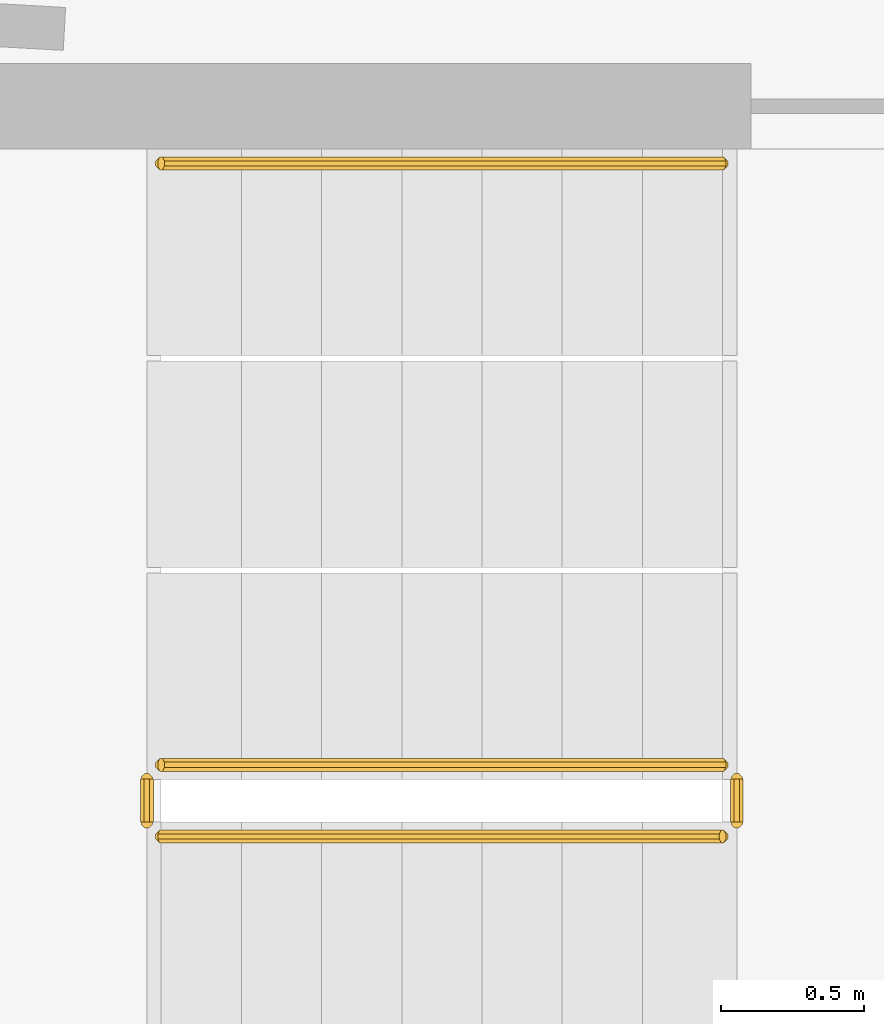
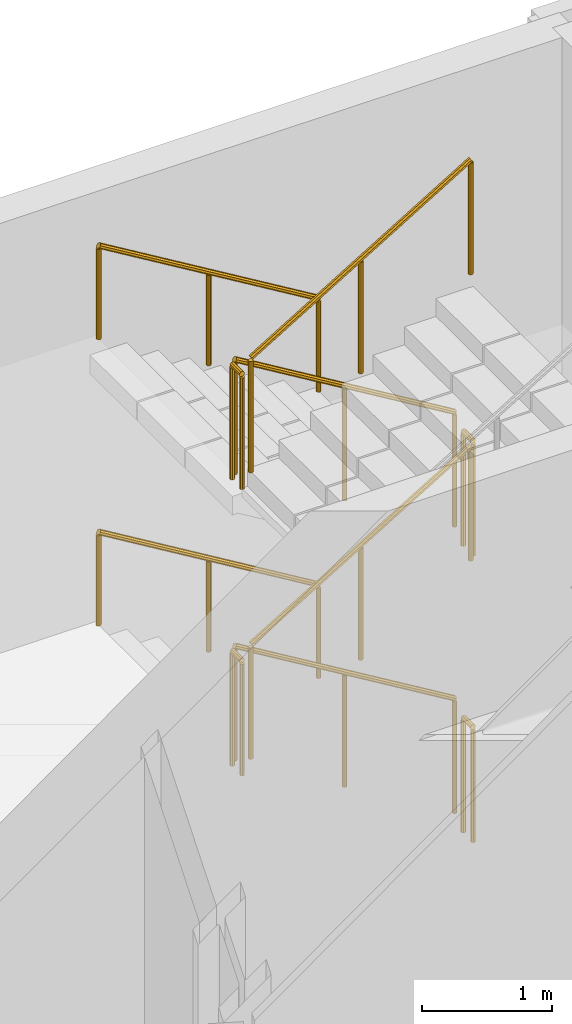
# One storey, part 21 of 31: 10 railings.
"""IFC4 building model written with IfcOpenShell, lengths in metres."""

from ifc_helpers import new_model, si_unit, direction, frame, origin, place, context, subcontext, project, spatial, polyline, outline, extrude, material, type_object, element, save


model = new_model("IFC4")

# Units and contexts
model_context = context("Model", 3, precision=1e-05, world=origin(), true_north=direction((0.0, 1.0)))
body_context = subcontext(model_context, "Body", "Model", "MODEL_VIEW")
ifc_project = project(units=[si_unit("LENGTHUNIT", "METRE"), si_unit("AREAUNIT", "SQUARE_METRE"), si_unit("VOLUMEUNIT", "CUBIC_METRE"), si_unit("PLANEANGLEUNIT", "RADIAN"), si_unit("MASSUNIT", "GRAM", prefix="KILO")], contexts=[model_context])

# Site, building, storey
site_placement = place(None, origin())
site = spatial("IfcSite", under=ifc_project, at=site_placement, CompositionType="ELEMENT")
building_placement = place(site_placement, origin())
building = spatial("IfcBuilding", under=site, at=building_placement, Name="Cormorant Relay Tower", CompositionType="ELEMENT")
storey_placement = place(building_placement, frame((0.0, 0.0, 178.199951171875)))
storey = spatial("IfcBuildingStorey", under=building, at=storey_placement, Name="L38", CompositionType="ELEMENT", Elevation=178.199951171875)

# Railings
ifc_material_1 = material(Name="Steel ASTM A572 Grade 50 (Fy 345 MPa)", Category="steel")
railing_type_1 = type_object("IfcRailingType", Name="Stair guard 1100", PredefinedType="GUARDRAIL", material=ifc_material_1)
railing_1_placement = place(storey_placement, frame((1.60009765625, -18.27490234375, 0.168701171875)))
element("IfcRailing", 1, at=railing_1_placement, inside=storey, type_object=railing_type_1, Name="L38 RK1 stair guard 1", PredefinedType="GUARDRAIL", context=body_context, shape_type="SweptSolid", body=[
    extrude(outline(polyline([(0.022216796875, 0.00927734375), (0.00927734375, 0.022216796875), (-0.00927734375, 0.022216796875), (-0.022216796875, 0.00927734375), (-0.022216796875, -0.00927734375), (-0.00927734375, -0.022216796875), (0.00927734375, -0.022216796875), (0.022216796875, -0.00927734375), (0.022216796875, 0.00927734375)])), frame((0.0, 0.0, 1.076171875), z_axis=(-0.856474724393, 0.0, 0.516188963923), x_axis=(0.0, -1.0, 0.0)), (0.0, 0.0, 1.0), 2.28857421875),
    extrude(outline(polyline([(0.019287109375, 0.008056640625), (0.008056640625, 0.019287109375), (-0.008056640625, 0.019287109375), (-0.019287109375, 0.008056640625), (-0.019287109375, -0.008056640625), (-0.008056640625, -0.019287109375), (0.008056640625, -0.019287109375), (0.019287109375, -0.008056640625), (0.019287109375, 0.008056640625)])), origin(), (0.0, 0.0, 1.0), 1.052001953125),
    extrude(outline(polyline([(0.019287109375, 0.008056640625), (0.008056640625, 0.019287109375), (-0.008056640625, 0.019287109375), (-0.019287109375, 0.008056640625), (-0.019287109375, -0.008056640625), (-0.008056640625, -0.019287109375), (0.008056640625, -0.019287109375), (0.019287109375, -0.008056640625), (0.019287109375, 0.008056640625)])), frame((-0.97998046875, 0.0, 0.5908203125)), (0.0, 0.0, 1.0), 1.052001953125),
    extrude(outline(polyline([(0.019287109375, 0.008056640625), (0.008056640625, 0.019287109375), (-0.008056640625, 0.019287109375), (-0.019287109375, 0.008056640625), (-0.019287109375, -0.008056640625), (-0.008056640625, -0.019287109375), (0.008056640625, -0.019287109375), (0.019287109375, -0.008056640625), (0.019287109375, 0.008056640625)])), frame((-1.960205078125, 0.0, 1.181396484375)), (0.0, 0.0, 1.0), 1.052001953125),
])
railing_2_placement = place(storey_placement, frame((-0.409912109375, -18.324951171875, 1.35009765625)))
element("IfcRailing", 2, at=railing_2_placement, inside=storey, type_object=railing_type_1, Name="L38 RK1 stair guard 2", PredefinedType="GUARDRAIL", context=body_context, shape_type="SweptSolid", body=[
    extrude(outline(polyline([(0.022216796875, 0.00927734375), (0.00927734375, 0.022216796875), (-0.00927734375, 0.022216796875), (-0.022216796875, 0.00927734375), (-0.022216796875, -0.00927734375), (-0.00927734375, -0.022216796875), (0.00927734375, -0.022216796875), (0.022216796875, -0.00927734375), (0.022216796875, 0.00927734375)])), frame((0.0, 0.0, 1.076171875), z_axis=(0.0, -1.0, 0.0), x_axis=(1.0, 0.0, 0.0)), (0.0, 0.0, 1.0), 0.150146484375),
    extrude(outline(polyline([(0.019287109375, 0.008056640625), (0.008056640625, 0.019287109375), (-0.008056640625, 0.019287109375), (-0.019287109375, 0.008056640625), (-0.019287109375, -0.008056640625), (-0.008056640625, -0.019287109375), (0.008056640625, -0.019287109375), (0.019287109375, -0.008056640625), (0.019287109375, 0.008056640625)])), origin(), (0.0, 0.0, 1.0), 1.052001953125),
    extrude(outline(polyline([(0.019287109375, 0.008056640625), (0.008056640625, 0.019287109375), (-0.008056640625, 0.019287109375), (-0.019287109375, 0.008056640625), (-0.019287109375, -0.008056640625), (-0.008056640625, -0.019287109375), (0.008056640625, -0.019287109375), (0.019287109375, -0.008056640625), (0.019287109375, 0.008056640625)])), frame((0.0, -0.150146484375, 0.0)), (0.0, 0.0, 1.0), 1.052001953125),
])
railing_3_placement = place(storey_placement, frame((-0.360107421875, -18.52490234375, 1.518798828125)))
element("IfcRailing", 3, at=railing_3_placement, inside=storey, type_object=railing_type_1, Name="L38 RK1 stair guard 3", PredefinedType="GUARDRAIL", context=body_context, shape_type="SweptSolid", body=[
    extrude(outline(polyline([(0.022216796875, 0.00927734375), (0.00927734375, 0.022216796875), (-0.00927734375, 0.022216796875), (-0.022216796875, 0.00927734375), (-0.022216796875, -0.00927734375), (-0.00927734375, -0.022216796875), (0.00927734375, -0.022216796875), (0.022216796875, -0.00927734375), (0.022216796875, 0.00927734375)])), frame((0.0, 0.0, 1.076171875), z_axis=(0.856521883693, 0.0, 0.516110707847), x_axis=(0.0, 1.0, 0.0)), (0.0, 0.0, 1.0), 2.28857421875),
    extrude(outline(polyline([(0.019287109375, 0.008056640625), (0.008056640625, 0.019287109375), (-0.008056640625, 0.019287109375), (-0.019287109375, 0.008056640625), (-0.019287109375, -0.008056640625), (-0.008056640625, -0.019287109375), (0.008056640625, -0.019287109375), (0.019287109375, -0.008056640625), (0.019287109375, 0.008056640625)])), origin(), (0.0, 0.0, 1.0), 1.052001953125),
    extrude(outline(polyline([(0.019287109375, 0.008056640625), (0.008056640625, 0.019287109375), (-0.008056640625, 0.019287109375), (-0.019287109375, 0.008056640625), (-0.019287109375, -0.008056640625), (-0.008056640625, -0.019287109375), (0.008056640625, -0.019287109375), (0.019287109375, -0.008056640625), (0.019287109375, 0.008056640625)])), frame((0.97998046875, 0.0, 0.590576171875)), (0.0, 0.0, 1.0), 1.052001953125),
    extrude(outline(polyline([(0.019287109375, 0.008056640625), (0.008056640625, 0.019287109375), (-0.008056640625, 0.019287109375), (-0.019287109375, 0.008056640625), (-0.019287109375, -0.008056640625), (-0.008056640625, -0.019287109375), (0.008056640625, -0.019287109375), (0.019287109375, -0.008056640625), (0.019287109375, 0.008056640625)])), frame((1.960205078125, 0.0, 1.18115234375)), (0.0, 0.0, 1.0), 1.052001953125),
])
railing_4_placement = place(storey_placement, frame((1.64990234375, -18.324951171875, 2.699951171875)))
element("IfcRailing", 4, at=railing_4_placement, inside=storey, type_object=railing_type_1, Name="L38 RK1 stair guard 4", PredefinedType="GUARDRAIL", context=body_context, shape_type="SweptSolid", body=[
    extrude(outline(polyline([(0.022216796875, 0.00927734375), (0.00927734375, 0.022216796875), (-0.00927734375, 0.022216796875), (-0.022216796875, 0.00927734375), (-0.022216796875, -0.00927734375), (-0.00927734375, -0.022216796875), (0.00927734375, -0.022216796875), (0.022216796875, -0.00927734375), (0.022216796875, 0.00927734375)])), frame((0.0, 0.0, 1.076171875), z_axis=(0.0, -1.0, 0.0), x_axis=(1.0, 0.0, 0.0)), (0.0, 0.0, 1.0), 0.150146484375),
    extrude(outline(polyline([(0.019287109375, 0.008056640625), (0.008056640625, 0.019287109375), (-0.008056640625, 0.019287109375), (-0.019287109375, 0.008056640625), (-0.019287109375, -0.008056640625), (-0.008056640625, -0.019287109375), (0.008056640625, -0.019287109375), (0.019287109375, -0.008056640625), (0.019287109375, 0.008056640625)])), origin(), (0.0, 0.0, 1.0), 1.052001953125),
    extrude(outline(polyline([(0.019287109375, 0.008056640625), (0.008056640625, 0.019287109375), (-0.008056640625, 0.019287109375), (-0.019287109375, 0.008056640625), (-0.019287109375, -0.008056640625), (-0.008056640625, -0.019287109375), (0.008056640625, -0.019287109375), (0.019287109375, -0.008056640625), (0.019287109375, 0.008056640625)])), frame((0.0, -0.150146484375, 0.0)), (0.0, 0.0, 1.0), 1.052001953125),
])
railing_5_placement = place(storey_placement, frame((1.60009765625, -18.27490234375, 2.868896484375)))
element("IfcRailing", 5, at=railing_5_placement, inside=storey, type_object=railing_type_1, Name="L38 RK1 stair guard 5", PredefinedType="GUARDRAIL", context=body_context, shape_type="SweptSolid", body=[
    extrude(outline(polyline([(0.022216796875, 0.00927734375), (0.00927734375, 0.022216796875), (-0.00927734375, 0.022216796875), (-0.022216796875, 0.00927734375), (-0.022216796875, -0.00927734375), (-0.00927734375, -0.022216796875), (0.00927734375, -0.022216796875), (0.022216796875, -0.00927734375), (0.022216796875, 0.00927734375)])), frame((0.0, 0.0, 1.076171875), z_axis=(-0.856521883693, 0.0, 0.516110707847), x_axis=(0.0, -1.0, 0.0)), (0.0, 0.0, 1.0), 2.28857421875),
    extrude(outline(polyline([(0.019287109375, 0.008056640625), (0.008056640625, 0.019287109375), (-0.008056640625, 0.019287109375), (-0.019287109375, 0.008056640625), (-0.019287109375, -0.008056640625), (-0.008056640625, -0.019287109375), (0.008056640625, -0.019287109375), (0.019287109375, -0.008056640625), (0.019287109375, 0.008056640625)])), origin(), (0.0, 0.0, 1.0), 1.052001953125),
    extrude(outline(polyline([(0.019287109375, 0.008056640625), (0.008056640625, 0.019287109375), (-0.008056640625, 0.019287109375), (-0.019287109375, 0.008056640625), (-0.019287109375, -0.008056640625), (-0.008056640625, -0.019287109375), (0.008056640625, -0.019287109375), (0.019287109375, -0.008056640625), (0.019287109375, 0.008056640625)])), frame((-0.97998046875, 0.0, 0.590576171875)), (0.0, 0.0, 1.0), 1.052001953125),
    extrude(outline(polyline([(0.019287109375, 0.008056640625), (0.008056640625, 0.019287109375), (-0.008056640625, 0.019287109375), (-0.019287109375, 0.008056640625), (-0.019287109375, -0.008056640625), (-0.008056640625, -0.019287109375), (0.008056640625, -0.019287109375), (0.019287109375, -0.008056640625), (0.019287109375, 0.008056640625)])), frame((-1.960205078125, 0.0, 1.18115234375)), (0.0, 0.0, 1.0), 1.052001953125),
])
railing_6_placement = place(storey_placement, frame((-0.409912109375, -18.324951171875, 4.050048828125)))
element("IfcRailing", 6, at=railing_6_placement, inside=storey, type_object=railing_type_1, Name="L38 RK1 stair guard 6", PredefinedType="GUARDRAIL", context=body_context, shape_type="SweptSolid", body=[
    extrude(outline(polyline([(0.022216796875, 0.00927734375), (0.00927734375, 0.022216796875), (-0.00927734375, 0.022216796875), (-0.022216796875, 0.00927734375), (-0.022216796875, -0.00927734375), (-0.00927734375, -0.022216796875), (0.00927734375, -0.022216796875), (0.022216796875, -0.00927734375), (0.022216796875, 0.00927734375)])), frame((0.0, 0.0, 1.076171875), z_axis=(0.0, -1.0, 0.0), x_axis=(1.0, 0.0, 0.0)), (0.0, 0.0, 1.0), 0.150146484375),
    extrude(outline(polyline([(0.019287109375, 0.008056640625), (0.008056640625, 0.019287109375), (-0.008056640625, 0.019287109375), (-0.019287109375, 0.008056640625), (-0.019287109375, -0.008056640625), (-0.008056640625, -0.019287109375), (0.008056640625, -0.019287109375), (0.019287109375, -0.008056640625), (0.019287109375, 0.008056640625)])), origin(), (0.0, 0.0, 1.0), 1.052001953125),
    extrude(outline(polyline([(0.019287109375, 0.008056640625), (0.008056640625, 0.019287109375), (-0.008056640625, 0.019287109375), (-0.019287109375, 0.008056640625), (-0.019287109375, -0.008056640625), (-0.008056640625, -0.019287109375), (0.008056640625, -0.019287109375), (0.019287109375, -0.008056640625), (0.019287109375, 0.008056640625)])), frame((0.0, -0.150146484375, 0.0)), (0.0, 0.0, 1.0), 1.052001953125),
])
railing_7_placement = place(storey_placement, frame((-0.360107421875, -18.52490234375, 4.21875)))
element("IfcRailing", 7, at=railing_7_placement, inside=storey, type_object=railing_type_1, Name="L38 RK1 stair guard 7", PredefinedType="GUARDRAIL", context=body_context, shape_type="SweptSolid", body=[
    extrude(outline(polyline([(0.022216796875, 0.00927734375), (0.00927734375, 0.022216796875), (-0.00927734375, 0.022216796875), (-0.022216796875, 0.00927734375), (-0.022216796875, -0.00927734375), (-0.00927734375, -0.022216796875), (0.00927734375, -0.022216796875), (0.022216796875, -0.00927734375), (0.022216796875, 0.00927734375)])), frame((0.0, 0.0, 1.076171875), z_axis=(0.856474724393, 0.0, 0.516188963923), x_axis=(0.0, 1.0, 0.0)), (0.0, 0.0, 1.0), 2.28857421875),
    extrude(outline(polyline([(0.019287109375, 0.008056640625), (0.008056640625, 0.019287109375), (-0.008056640625, 0.019287109375), (-0.019287109375, 0.008056640625), (-0.019287109375, -0.008056640625), (-0.008056640625, -0.019287109375), (0.008056640625, -0.019287109375), (0.019287109375, -0.008056640625), (0.019287109375, 0.008056640625)])), origin(), (0.0, 0.0, 1.0), 1.052001953125),
    extrude(outline(polyline([(0.019287109375, 0.008056640625), (0.008056640625, 0.019287109375), (-0.008056640625, 0.019287109375), (-0.019287109375, 0.008056640625), (-0.019287109375, -0.008056640625), (-0.008056640625, -0.019287109375), (0.008056640625, -0.019287109375), (0.019287109375, -0.008056640625), (0.019287109375, 0.008056640625)])), frame((0.97998046875, 0.0, 0.5908203125)), (0.0, 0.0, 1.0), 1.052001953125),
    extrude(outline(polyline([(0.019287109375, 0.008056640625), (0.008056640625, 0.019287109375), (-0.008056640625, 0.019287109375), (-0.019287109375, 0.008056640625), (-0.019287109375, -0.008056640625), (-0.008056640625, -0.019287109375), (0.008056640625, -0.019287109375), (0.019287109375, -0.008056640625), (0.019287109375, 0.008056640625)])), frame((1.960205078125, 0.0, 1.181396484375)), (0.0, 0.0, 1.0), 1.052001953125),
])
railing_8_placement = place(storey_placement, frame((1.64990234375, -18.324951171875, 0.0)))
element("IfcRailing", 8, at=railing_8_placement, inside=storey, type_object=railing_type_1, Name="L38 RK1 stair guard 8", PredefinedType="GUARDRAIL", context=body_context, shape_type="SweptSolid", body=[
    extrude(outline(polyline([(0.022216796875, 0.00927734375), (0.00927734375, 0.022216796875), (-0.00927734375, 0.022216796875), (-0.022216796875, 0.00927734375), (-0.022216796875, -0.00927734375), (-0.00927734375, -0.022216796875), (0.00927734375, -0.022216796875), (0.022216796875, -0.00927734375), (0.022216796875, 0.00927734375)])), frame((0.0, 0.0, 1.076171875), z_axis=(0.0, -1.0, 0.0), x_axis=(1.0, 0.0, 0.0)), (0.0, 0.0, 1.0), 0.150146484375),
    extrude(outline(polyline([(0.019287109375, 0.008056640625), (0.008056640625, 0.019287109375), (-0.008056640625, 0.019287109375), (-0.019287109375, 0.008056640625), (-0.019287109375, -0.008056640625), (-0.008056640625, -0.019287109375), (0.008056640625, -0.019287109375), (0.019287109375, -0.008056640625), (0.019287109375, 0.008056640625)])), origin(), (0.0, 0.0, 1.0), 1.052001953125),
    extrude(outline(polyline([(0.019287109375, 0.008056640625), (0.008056640625, 0.019287109375), (-0.008056640625, 0.019287109375), (-0.019287109375, 0.008056640625), (-0.019287109375, -0.008056640625), (-0.008056640625, -0.019287109375), (0.008056640625, -0.019287109375), (0.019287109375, -0.008056640625), (0.019287109375, 0.008056640625)])), frame((0.0, -0.150146484375, 0.0)), (0.0, 0.0, 1.0), 1.052001953125),
])
ifc_material_2 = material(Name="Steel ASTM A572 Grade 50 (Fy 345 MPa)", Category="steel")
railing_type_2 = type_object("IfcRailingType", Name="Stair handrail 900", PredefinedType="HANDRAIL", material=ifc_material_2)
railing_9_placement = place(storey_placement, frame((1.60009765625, -16.175048828125, 0.168701171875)))
element("IfcRailing", 9, at=railing_9_placement, inside=storey, type_object=railing_type_2, Name="L38 RK1 stair handrail 1", PredefinedType="HANDRAIL", context=body_context, shape_type="SweptSolid", body=[
    extrude(outline(polyline([(0.022216796875, 0.00927734375), (0.00927734375, 0.022216796875), (-0.00927734375, 0.022216796875), (-0.022216796875, 0.00927734375), (-0.022216796875, -0.00927734375), (-0.00927734375, -0.022216796875), (0.00927734375, -0.022216796875), (0.022216796875, -0.00927734375), (0.022216796875, 0.00927734375)])), frame((0.0, 0.0, 0.8759765625), z_axis=(-0.856474724393, 0.0, 0.516188963923), x_axis=(0.0, -1.0, 0.0)), (0.0, 0.0, 1.0), 2.28857421875),
    extrude(outline(polyline([(0.019287109375, 0.008056640625), (0.008056640625, 0.019287109375), (-0.008056640625, 0.019287109375), (-0.019287109375, 0.008056640625), (-0.019287109375, -0.008056640625), (-0.008056640625, -0.019287109375), (0.008056640625, -0.019287109375), (0.019287109375, -0.008056640625), (0.019287109375, 0.008056640625)])), origin(), (0.0, 0.0, 1.0), 0.851806640625),
    extrude(outline(polyline([(0.019287109375, 0.008056640625), (0.008056640625, 0.019287109375), (-0.008056640625, 0.019287109375), (-0.019287109375, 0.008056640625), (-0.019287109375, -0.008056640625), (-0.008056640625, -0.019287109375), (0.008056640625, -0.019287109375), (0.019287109375, -0.008056640625), (0.019287109375, 0.008056640625)])), frame((-0.97998046875, 0.0, 0.5908203125)), (0.0, 0.0, 1.0), 0.851806640625),
    extrude(outline(polyline([(0.019287109375, 0.008056640625), (0.008056640625, 0.019287109375), (-0.008056640625, 0.019287109375), (-0.019287109375, 0.008056640625), (-0.019287109375, -0.008056640625), (-0.008056640625, -0.019287109375), (0.008056640625, -0.019287109375), (0.019287109375, -0.008056640625), (0.019287109375, 0.008056640625)])), frame((-1.960205078125, 0.0, 1.181396484375)), (0.0, 0.0, 1.0), 0.851806640625),
])
railing_10_placement = place(storey_placement, frame((1.60009765625, -16.175048828125, 2.868896484375)))
element("IfcRailing", 10, at=railing_10_placement, inside=storey, type_object=railing_type_2, Name="L38 RK1 stair handrail 3", PredefinedType="HANDRAIL", context=body_context, shape_type="SweptSolid", body=[
    extrude(outline(polyline([(0.022216796875, 0.00927734375), (0.00927734375, 0.022216796875), (-0.00927734375, 0.022216796875), (-0.022216796875, 0.00927734375), (-0.022216796875, -0.00927734375), (-0.00927734375, -0.022216796875), (0.00927734375, -0.022216796875), (0.022216796875, -0.00927734375), (0.022216796875, 0.00927734375)])), frame((0.0, 0.0, 0.8759765625), z_axis=(-0.856521883693, 0.0, 0.516110707847), x_axis=(0.0, -1.0, 0.0)), (0.0, 0.0, 1.0), 2.28857421875),
    extrude(outline(polyline([(0.019287109375, 0.008056640625), (0.008056640625, 0.019287109375), (-0.008056640625, 0.019287109375), (-0.019287109375, 0.008056640625), (-0.019287109375, -0.008056640625), (-0.008056640625, -0.019287109375), (0.008056640625, -0.019287109375), (0.019287109375, -0.008056640625), (0.019287109375, 0.008056640625)])), origin(), (0.0, 0.0, 1.0), 0.851806640625),
    extrude(outline(polyline([(0.019287109375, 0.008056640625), (0.008056640625, 0.019287109375), (-0.008056640625, 0.019287109375), (-0.019287109375, 0.008056640625), (-0.019287109375, -0.008056640625), (-0.008056640625, -0.019287109375), (0.008056640625, -0.019287109375), (0.019287109375, -0.008056640625), (0.019287109375, 0.008056640625)])), frame((-0.97998046875, 0.0, 0.590576171875)), (0.0, 0.0, 1.0), 0.851806640625),
    extrude(outline(polyline([(0.019287109375, 0.008056640625), (0.008056640625, 0.019287109375), (-0.008056640625, 0.019287109375), (-0.019287109375, 0.008056640625), (-0.019287109375, -0.008056640625), (-0.008056640625, -0.019287109375), (0.008056640625, -0.019287109375), (0.019287109375, -0.008056640625), (0.019287109375, 0.008056640625)])), frame((-1.960205078125, 0.0, 1.18115234375)), (0.0, 0.0, 1.0), 0.851806640625),
])

save(model, "model.ifc")
